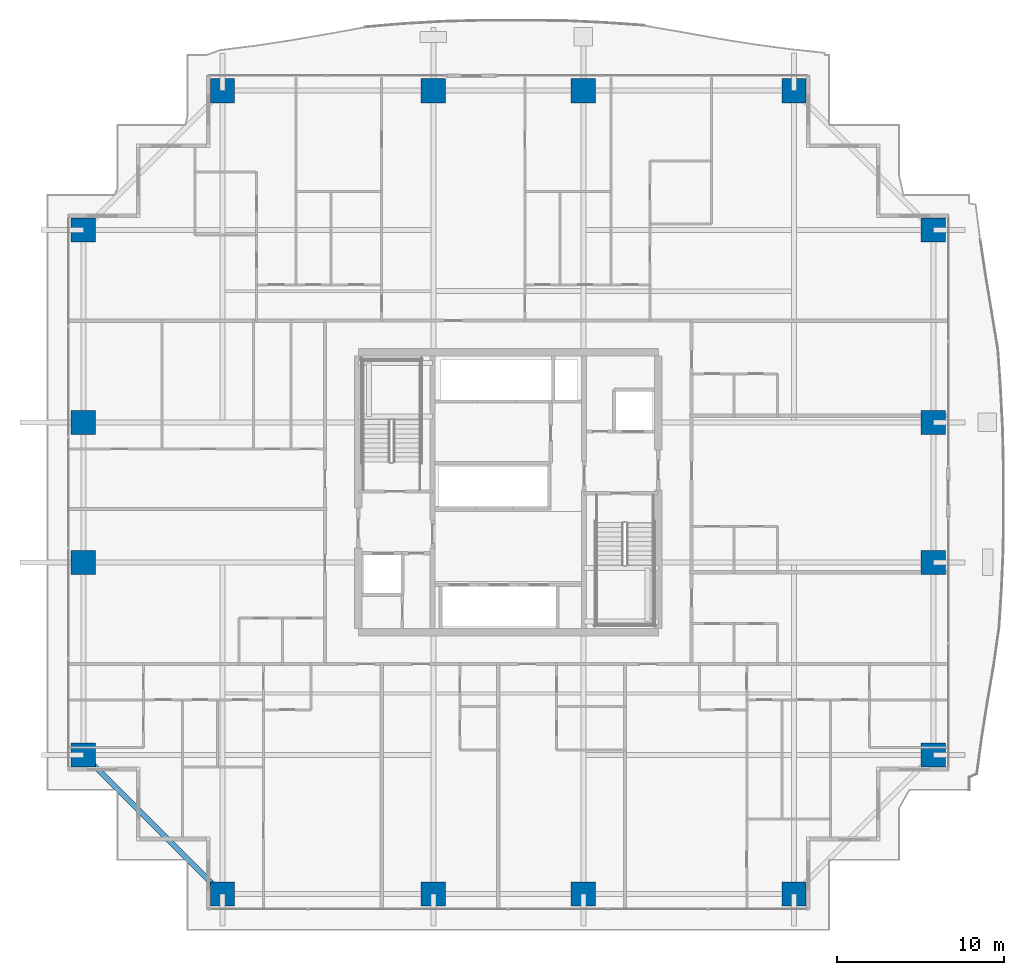
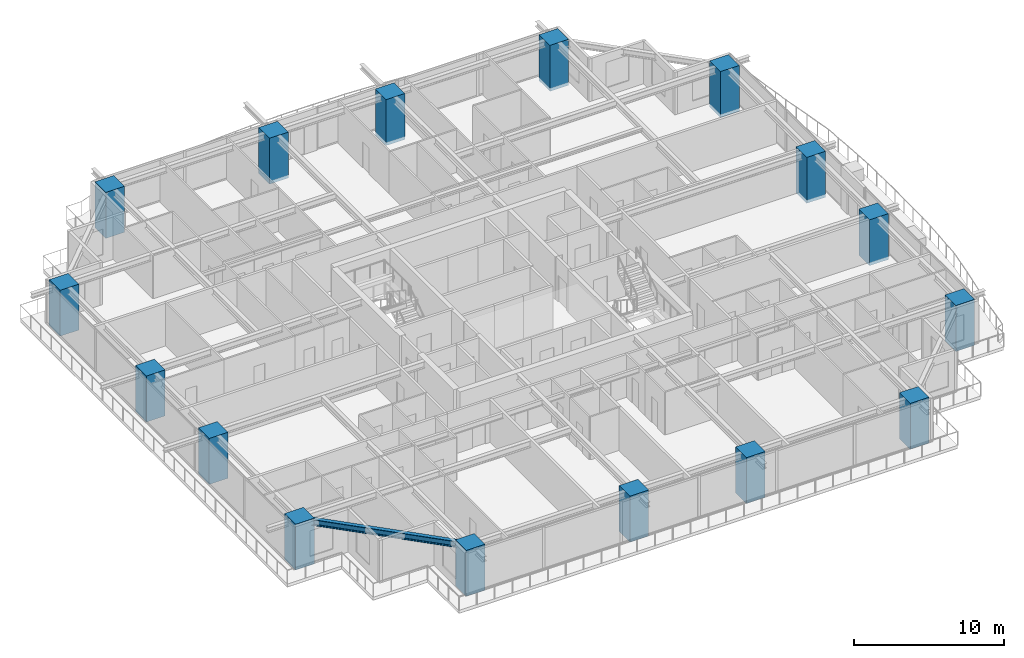
# One storey, part 1 of 38: 16 columns, 1 beam.
"""IFC4 building model written with IfcOpenShell, lengths in metres."""

from ifc_helpers import new_model, si_unit, direction, frame, origin, origin_2d, place, context, subcontext, project, spatial, rectangle, i_section, extrude, source, transform, mapped, material, material_profile, profile_set, type_object, element, save


model = new_model("IFC4")

# Units and contexts
model_context = context("Model", 3, precision=1e-05, world=origin(), true_north=direction((0.0, 1.0)))
body_context = subcontext(model_context, "Body", "Model", "MODEL_VIEW")
ifc_project = project(units=[si_unit("LENGTHUNIT", "METRE"), si_unit("AREAUNIT", "SQUARE_METRE"), si_unit("VOLUMEUNIT", "CUBIC_METRE"), si_unit("PLANEANGLEUNIT", "RADIAN"), si_unit("MASSUNIT", "GRAM", prefix="KILO")], contexts=[model_context])

# Site, building, storey
site_placement = place(None, origin())
site = spatial("IfcSite", under=ifc_project, at=site_placement, CompositionType="ELEMENT")
building_placement = place(site_placement, origin())
building = spatial("IfcBuilding", under=site, at=building_placement, Name="Serunith Strait Residences", CompositionType="ELEMENT")
storey_placement = place(building_placement, frame((0.0, 0.0, 67.949951171875)))
storey = spatial("IfcBuildingStorey", under=building, at=storey_placement, Name="L16", CompositionType="ELEMENT", Elevation=67.949951171875)

# Columns
ifc_material_1 = material(Name="Concrete C90/105", Category="concrete")
ifc_material_profile_1 = material_profile(ifc_material_1, rectangle(XDim=1.449951171875, YDim=1.449951171875, at=origin_2d()), Name="RC 1450x1450")
ifc_profile_set_1 = profile_set([ifc_material_profile_1], Name="Concrete C90/105")
column_type = type_object("IfcColumnType", Name="COL-RC-1450", PredefinedType="COLUMN", material=ifc_profile_set_1)
shared_shape_1 = source(origin(), body_context, "Body", "SweptSolid", [
    extrude(rectangle(XDim=1.449951171875, YDim=1.449951171875, at=origin_2d()), origin(), (0.0, 0.0, 1.0), 3.75),
])
for number, where, z_axis, x_axis, name in (
    (1, (15.25, 1.10009765625, -0.260009765625), (0.0, 0.0, 1.0), (1.0, 0.0, 0.0), "L16 Tower Mega-Column TC-S1"),
    (2, (27.89990234375, 1.10009765625, -0.260009765625), (0.0, 0.0, 1.0), (1.0, 0.0, 0.0), "L16 Tower Mega-Column TC-S2"),
    (3, (36.89990234375, 1.10009765625, -0.260009765625), (0.0, 0.0, 1.0), (1.0, 0.0, 0.0), "L16 Tower Mega-Column TC-S3"),
    (4, (49.550048828125, 1.10009765625, -0.260009765625), (0.0, 0.0, 1.0), (1.0, 0.0, 0.0), "L16 Tower Mega-Column TC-S4"),
    (5, (15.25, 49.300048828125, -0.260009765625), (0.0, 0.0, 1.0), (1.0, 0.0, 0.0), "L16 Tower Mega-Column TC-N1"),
    (6, (27.89990234375, 49.300048828125, -0.260009765625), (0.0, 0.0, 1.0), (1.0, 0.0, 0.0), "L16 Tower Mega-Column TC-N2"),
    (7, (36.89990234375, 49.300048828125, -0.260009765625), (0.0, 0.0, 1.0), (1.0, 0.0, 0.0), "L16 Tower Mega-Column TC-N3"),
    (8, (49.550048828125, 49.300048828125, -0.260009765625), (0.0, 0.0, 1.0), (1.0, 0.0, 0.0), "L16 Tower Mega-Column TC-N4"),
    (9, (57.89990234375, 9.449951171875, -0.260009765625), (0.0, 0.0, 1.0), (1.0, 0.0, 0.0), "L16 Tower Mega-Column TC-E1"),
    (10, (57.89990234375, 21.0, -0.260009765625), (0.0, 0.0, 1.0), (1.0, 0.0, 0.0), "L16 Tower Mega-Column TC-E2"),
    (11, (57.89990234375, 29.39990234375, -0.260009765625), (0.0, 0.0, 1.0), (1.0, 0.0, 0.0), "L16 Tower Mega-Column TC-E3"),
    (12, (57.89990234375, 40.949951171875, -0.260009765625), (0.0, 0.0, 1.0), (1.0, 0.0, 0.0), "L16 Tower Mega-Column TC-E4"),
    (13, (6.89990234375, 9.449951171875, -0.260009765625), (0.0, 0.0, 1.0), (1.0, 0.0, 0.0), "L16 Tower Mega-Column TC-W1"),
    (14, (6.89990234375, 21.0, -0.260009765625), (0.0, 0.0, 1.0), (1.0, 0.0, 0.0), "L16 Tower Mega-Column TC-W2"),
    (15, (6.89990234375, 29.39990234375, -0.260009765625), (0.0, 0.0, 1.0), (1.0, 0.0, 0.0), "L16 Tower Mega-Column TC-W3"),
    (16, (6.89990234375, 40.949951171875, -0.260009765625), (0.0, 0.0, 1.0), (1.0, 0.0, 0.0), "L16 Tower Mega-Column TC-W4"),
):
    element("IfcColumn", number, at=place(storey_placement, frame(where, z_axis=z_axis, x_axis=x_axis)), inside=storey, type_object=column_type, Name=name, PredefinedType="COLUMN", context=body_context, shape_type="MappedRepresentation", body=[
        mapped(shared_shape_1, transform((0.0, 0.0, 0.0), scale=1.0)),
    ])

# Beam
ifc_material_2 = material(Name="Steel S355J2", Category="steel")
ifc_material_profile_2 = material_profile(ifc_material_2, i_section(OverallWidth=0.300048828125, OverallDepth=0.5, WebThickness=0.014404296875, FlangeThickness=0.028076171875, FilletRadius=0.027099609375, at=origin_2d()), Name="HEB 500")
ifc_profile_set_2 = profile_set([ifc_material_profile_2], Name="Steel S355J2")
beam_type = type_object("IfcBeamType", Name="BM-HEB500", PredefinedType="BEAM", material=ifc_profile_set_2)
shared_shape_2 = source(origin(), body_context, "Body", "SweptSolid", [
    extrude(i_section(OverallWidth=0.300048828125, OverallDepth=0.5, WebThickness=0.014404296875, FlangeThickness=0.028076171875, FilletRadius=0.027099609375, at=origin_2d()), origin(), (0.0, 0.0, 1.0), 11.80859375),
])
beam_placement = place(storey_placement, frame((6.89990234375, 9.449951171875, 3.20703125), z_axis=(0.707117118476, -0.707096443746, 0.0), x_axis=(0.707096443746, 0.707117118476, 0.0)))
element("IfcBeam", 17, at=beam_placement, inside=storey, type_object=beam_type, Name="L16 Perimeter Ring Beam 16", PredefinedType="BEAM", context=body_context, shape_type="MappedRepresentation", body=[
    mapped(shared_shape_2, transform((0.0, 0.0, 0.0), scale=1.0)),
])

save(model, "model.ifc")
